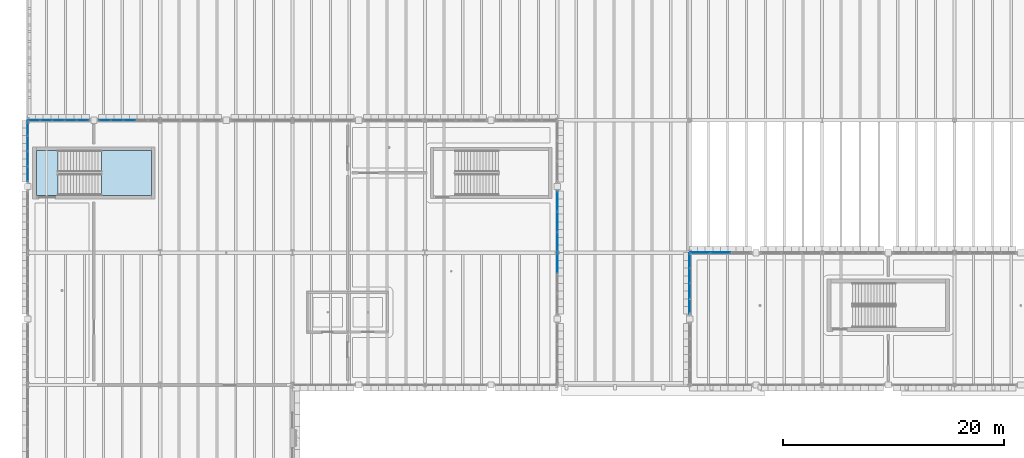
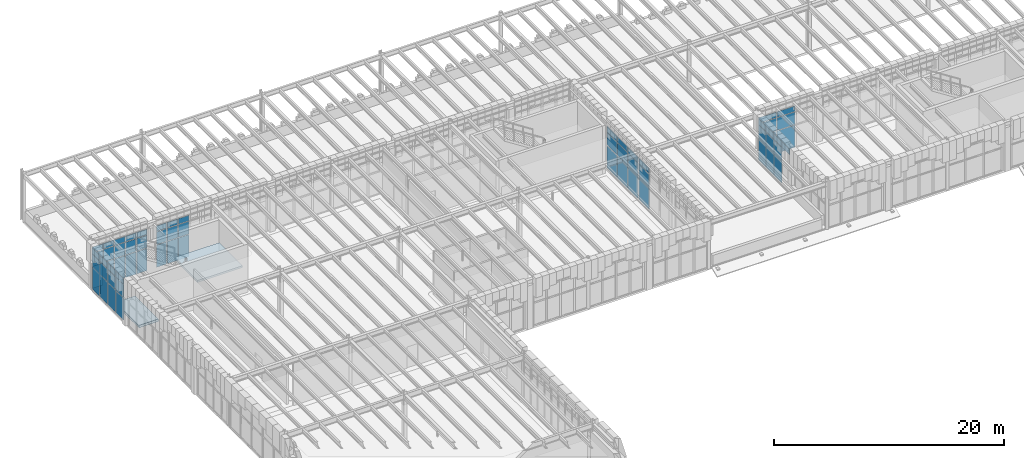
# One storey, part 48 of 100: 64 plates, 2 slabs, 8 elements without a shape of their own.
"""IFC4 building model written with IfcOpenShell, lengths in metres."""

from ifc_helpers import new_model, si_unit, direction, frame, origin, origin_2d, place, context, subcontext, project, spatial, polyline, rectangle, outline, extrude, material, layer, layer_set, type_object, element, aggregate, save


model = new_model("IFC4")

# Units and contexts
model_context = context("Model", 3, precision=1e-05, world=origin(), true_north=direction((0.0, 1.0)))
body_context = subcontext(model_context, "Body", "Model", "MODEL_VIEW")
ifc_project = project(units=[si_unit("LENGTHUNIT", "METRE"), si_unit("AREAUNIT", "SQUARE_METRE"), si_unit("VOLUMEUNIT", "CUBIC_METRE"), si_unit("PLANEANGLEUNIT", "RADIAN"), si_unit("MASSUNIT", "GRAM", prefix="KILO")], contexts=[model_context])

# Site, building, storey
site_placement = place(None, origin())
site = spatial("IfcSite", under=ifc_project, at=site_placement, CompositionType="ELEMENT")
building_placement = place(site_placement, origin())
building = spatial("IfcBuilding", under=site, at=building_placement, Name="Zlatogorsky Bluff Art Gallery", CompositionType="ELEMENT")
storey_placement = place(building_placement, frame((0.0, 0.0, 5.39990234375)))
storey = spatial("IfcBuildingStorey", under=building, at=storey_placement, Name="L01", CompositionType="ELEMENT", Elevation=5.39990234375)

# Curtain wall, plates
ifc_material_1 = material(Name="Anodised Bronze Aluminium and Low-Iron Triple Glazing", Category="aluminium")
ifc_layer_1 = layer(ifc_material_1, 0.179931640625)
ifc_layer_set_1 = layer_set([ifc_layer_1], Name="Curtain Wall CW-03")
curtain_wall_type_1 = type_object("IfcCurtainWallType", Name="Curtain Wall CW-03", PredefinedType="USERDEFINED", material=ifc_layer_set_1)
curtain_wall_1_placement = place(storey_placement, origin())
curtain_wall_1 = element("IfcCurtainWall", 1, at=curtain_wall_1_placement, inside=storey, type_object=curtain_wall_type_1, Name="Unitised curtain wall CW-03 L01 N 0.9-A", ObjectType="CURTAIN WALL", PredefinedType="USERDEFINED")
ifc_material_2 = material(Name="Low-Iron Laminated Triple Glazing", Category="glass")
ifc_layer_2 = layer(ifc_material_2, 0.035888671875)
ifc_layer_set_2 = layer_set([ifc_layer_2], Name="Glazed Curtain Panel CWP-01")
plate_type = type_object("IfcPlateType", Name="Glazed Curtain Panel CWP-01", PredefinedType="CURTAIN_PANEL", material=ifc_layer_set_2)
plate_1_placement = place(storey_placement, frame((9.2099609375, 108.0, 0.065185546875), z_axis=(0.0, 0.0, 1.0), x_axis=(-1.0, 0.0, 0.0)))
plate_1 = element("IfcPlate", 2, at=plate_1_placement, type_object=plate_type, Name="CW-03 panel 3.1", PredefinedType="CURTAIN_PANEL", context=body_context, shape_type="SweptSolid", body=[
    extrude(rectangle(XDim=1.051025390625, YDim=0.035888671875, at=origin_2d()), origin(), (0.0, 0.0, 1.0), 2.3525390625),
])
plate_2_placement = place(storey_placement, frame((9.2099609375, 108.0, 2.482666015625), z_axis=(0.0, 0.0, 1.0), x_axis=(-1.0, 0.0, 0.0)))
plate_2 = element("IfcPlate", 3, at=plate_2_placement, type_object=plate_type, Name="CW-03 panel 3.2", PredefinedType="CURTAIN_PANEL", context=body_context, shape_type="SweptSolid", body=[
    extrude(rectangle(XDim=1.051025390625, YDim=0.035888671875, at=origin_2d()), origin(), (0.0, 0.0, 1.0), 1.3349609375),
])
plate_3_placement = place(storey_placement, frame((9.2099609375, 108.0, 3.882568359375), z_axis=(0.0, 0.0, 1.0), x_axis=(-1.0, 0.0, 0.0)))
plate_3 = element("IfcPlate", 4, at=plate_3_placement, type_object=plate_type, Name="CW-03 panel 3.3", PredefinedType="CURTAIN_PANEL", context=body_context, shape_type="SweptSolid", body=[
    extrude(rectangle(XDim=1.051025390625, YDim=0.035888671875, at=origin_2d()), origin(), (0.0, 0.0, 1.0), 0.58251953125),
])
plate_4_placement = place(storey_placement, frame((8.093994140625, 108.0, 0.065185546875), z_axis=(0.0, 0.0, 1.0), x_axis=(-1.0, 0.0, 0.0)))
plate_4 = element("IfcPlate", 5, at=plate_4_placement, type_object=plate_type, Name="CW-03 panel 4.1", PredefinedType="CURTAIN_PANEL", context=body_context, shape_type="SweptSolid", body=[
    extrude(rectangle(XDim=1.051025390625, YDim=0.035888671875, at=origin_2d()), origin(), (0.0, 0.0, 1.0), 2.3525390625),
])
plate_5_placement = place(storey_placement, frame((8.093994140625, 108.0, 2.482666015625), z_axis=(0.0, 0.0, 1.0), x_axis=(-1.0, 0.0, 0.0)))
plate_5 = element("IfcPlate", 6, at=plate_5_placement, type_object=plate_type, Name="CW-03 panel 4.2", PredefinedType="CURTAIN_PANEL", context=body_context, shape_type="SweptSolid", body=[
    extrude(rectangle(XDim=1.051025390625, YDim=0.035888671875, at=origin_2d()), origin(), (0.0, 0.0, 1.0), 1.3349609375),
])
plate_6_placement = place(storey_placement, frame((8.093994140625, 108.0, 3.882568359375), z_axis=(0.0, 0.0, 1.0), x_axis=(-1.0, 0.0, 0.0)))
plate_6 = element("IfcPlate", 7, at=plate_6_placement, type_object=plate_type, Name="CW-03 panel 4.3", PredefinedType="CURTAIN_PANEL", context=body_context, shape_type="SweptSolid", body=[
    extrude(rectangle(XDim=1.051025390625, YDim=0.035888671875, at=origin_2d()), origin(), (0.0, 0.0, 1.0), 0.58251953125),
])
plate_7_placement = place(storey_placement, frame((6.994140625, 108.0, 0.065185546875), z_axis=(0.0, 0.0, 1.0), x_axis=(-1.0, 0.0, 0.0)))
plate_7 = element("IfcPlate", 8, at=plate_7_placement, type_object=plate_type, Name="CW-03 panel 5.1", PredefinedType="CURTAIN_PANEL", context=body_context, shape_type="SweptSolid", body=[
    extrude(rectangle(XDim=1.0185546875, YDim=0.035888671875, at=origin_2d()), origin(), (0.0, 0.0, 1.0), 2.3525390625),
])
plate_8_placement = place(storey_placement, frame((6.994140625, 108.0, 2.482666015625), z_axis=(0.0, 0.0, 1.0), x_axis=(-1.0, 0.0, 0.0)))
plate_8 = element("IfcPlate", 9, at=plate_8_placement, type_object=plate_type, Name="CW-03 panel 5.2", PredefinedType="CURTAIN_PANEL", context=body_context, shape_type="SweptSolid", body=[
    extrude(rectangle(XDim=1.0185546875, YDim=0.035888671875, at=origin_2d()), origin(), (0.0, 0.0, 1.0), 1.3349609375),
])
plate_9_placement = place(storey_placement, frame((6.994140625, 108.0, 3.882568359375), z_axis=(0.0, 0.0, 1.0), x_axis=(-1.0, 0.0, 0.0)))
plate_9 = element("IfcPlate", 10, at=plate_9_placement, type_object=plate_type, Name="CW-03 panel 5.3", PredefinedType="CURTAIN_PANEL", context=body_context, shape_type="SweptSolid", body=[
    extrude(rectangle(XDim=1.0185546875, YDim=0.035888671875, at=origin_2d()), origin(), (0.0, 0.0, 1.0), 0.58251953125),
])
aggregate(curtain_wall_1, [plate_1, plate_2, plate_3, plate_4, plate_5, plate_6, plate_7, plate_8, plate_9])

curtain_wall_2_placement = place(storey_placement, origin())
curtain_wall_2 = element("IfcCurtainWall", 11, at=curtain_wall_2_placement, inside=storey, type_object=curtain_wall_type_1, Name="Unitised curtain wall CW-03 L01 N 0.9-B", ObjectType="CURTAIN WALL", PredefinedType="USERDEFINED")
plate_10_placement = place(storey_placement, frame((5.005859375, 108.0, 0.065185546875), z_axis=(0.0, 0.0, 1.0), x_axis=(-1.0, 0.0, 0.0)))
plate_10 = element("IfcPlate", 12, at=plate_10_placement, type_object=plate_type, Name="CW-03 panel 1.1", PredefinedType="CURTAIN_PANEL", context=body_context, shape_type="SweptSolid", body=[
    extrude(rectangle(XDim=1.0185546875, YDim=0.035888671875, at=origin_2d()), origin(), (0.0, 0.0, 1.0), 2.3525390625),
])
plate_11_placement = place(storey_placement, frame((5.005859375, 108.0, 2.482666015625), z_axis=(0.0, 0.0, 1.0), x_axis=(-1.0, 0.0, 0.0)))
plate_11 = element("IfcPlate", 13, at=plate_11_placement, type_object=plate_type, Name="CW-03 panel 1.2", PredefinedType="CURTAIN_PANEL", context=body_context, shape_type="SweptSolid", body=[
    extrude(rectangle(XDim=1.0185546875, YDim=0.035888671875, at=origin_2d()), origin(), (0.0, 0.0, 1.0), 1.3349609375),
])
plate_12_placement = place(storey_placement, frame((5.005859375, 108.0, 3.882568359375), z_axis=(0.0, 0.0, 1.0), x_axis=(-1.0, 0.0, 0.0)))
plate_12 = element("IfcPlate", 14, at=plate_12_placement, type_object=plate_type, Name="CW-03 panel 1.3", PredefinedType="CURTAIN_PANEL", context=body_context, shape_type="SweptSolid", body=[
    extrude(rectangle(XDim=1.0185546875, YDim=0.035888671875, at=origin_2d()), origin(), (0.0, 0.0, 1.0), 0.58251953125),
])
plate_13_placement = place(storey_placement, frame((3.906005859375, 108.0, 0.065185546875), z_axis=(0.0, 0.0, 1.0), x_axis=(-1.0, 0.0, 0.0)))
plate_13 = element("IfcPlate", 15, at=plate_13_placement, type_object=plate_type, Name="CW-03 panel 2.1", PredefinedType="CURTAIN_PANEL", context=body_context, shape_type="SweptSolid", body=[
    extrude(rectangle(XDim=1.051025390625, YDim=0.035888671875, at=origin_2d()), origin(), (0.0, 0.0, 1.0), 2.3525390625),
])
plate_14_placement = place(storey_placement, frame((3.906005859375, 108.0, 2.482666015625), z_axis=(0.0, 0.0, 1.0), x_axis=(-1.0, 0.0, 0.0)))
plate_14 = element("IfcPlate", 16, at=plate_14_placement, type_object=plate_type, Name="CW-03 panel 2.2", PredefinedType="CURTAIN_PANEL", context=body_context, shape_type="SweptSolid", body=[
    extrude(rectangle(XDim=1.051025390625, YDim=0.035888671875, at=origin_2d()), origin(), (0.0, 0.0, 1.0), 1.3349609375),
])
plate_15_placement = place(storey_placement, frame((3.906005859375, 108.0, 3.882568359375), z_axis=(0.0, 0.0, 1.0), x_axis=(-1.0, 0.0, 0.0)))
plate_15 = element("IfcPlate", 17, at=plate_15_placement, type_object=plate_type, Name="CW-03 panel 2.3", PredefinedType="CURTAIN_PANEL", context=body_context, shape_type="SweptSolid", body=[
    extrude(rectangle(XDim=1.051025390625, YDim=0.035888671875, at=origin_2d()), origin(), (0.0, 0.0, 1.0), 0.58251953125),
])
plate_16_placement = place(storey_placement, frame((2.7900390625, 108.0, 0.065185546875), z_axis=(0.0, 0.0, 1.0), x_axis=(-1.0, 0.0, 0.0)))
plate_16 = element("IfcPlate", 18, at=plate_16_placement, type_object=plate_type, Name="CW-03 panel 3.1", PredefinedType="CURTAIN_PANEL", context=body_context, shape_type="SweptSolid", body=[
    extrude(rectangle(XDim=1.051025390625, YDim=0.035888671875, at=origin_2d()), origin(), (0.0, 0.0, 1.0), 2.3525390625),
])
plate_17_placement = place(storey_placement, frame((2.7900390625, 108.0, 2.482666015625), z_axis=(0.0, 0.0, 1.0), x_axis=(-1.0, 0.0, 0.0)))
plate_17 = element("IfcPlate", 19, at=plate_17_placement, type_object=plate_type, Name="CW-03 panel 3.2", PredefinedType="CURTAIN_PANEL", context=body_context, shape_type="SweptSolid", body=[
    extrude(rectangle(XDim=1.051025390625, YDim=0.035888671875, at=origin_2d()), origin(), (0.0, 0.0, 1.0), 1.3349609375),
])
plate_18_placement = place(storey_placement, frame((2.7900390625, 108.0, 3.882568359375), z_axis=(0.0, 0.0, 1.0), x_axis=(-1.0, 0.0, 0.0)))
plate_18 = element("IfcPlate", 20, at=plate_18_placement, type_object=plate_type, Name="CW-03 panel 3.3", PredefinedType="CURTAIN_PANEL", context=body_context, shape_type="SweptSolid", body=[
    extrude(rectangle(XDim=1.051025390625, YDim=0.035888671875, at=origin_2d()), origin(), (0.0, 0.0, 1.0), 0.58251953125),
])
plate_19_placement = place(storey_placement, frame((1.674072265625, 108.0, 0.065185546875), z_axis=(0.0, 0.0, 1.0), x_axis=(-1.0, 0.0, 0.0)))
plate_19 = element("IfcPlate", 21, at=plate_19_placement, type_object=plate_type, Name="CW-03 panel 4.1", PredefinedType="CURTAIN_PANEL", context=body_context, shape_type="SweptSolid", body=[
    extrude(rectangle(XDim=1.051025390625, YDim=0.035888671875, at=origin_2d()), origin(), (0.0, 0.0, 1.0), 2.3525390625),
])
plate_20_placement = place(storey_placement, frame((1.674072265625, 108.0, 2.482666015625), z_axis=(0.0, 0.0, 1.0), x_axis=(-1.0, 0.0, 0.0)))
plate_20 = element("IfcPlate", 22, at=plate_20_placement, type_object=plate_type, Name="CW-03 panel 4.2", PredefinedType="CURTAIN_PANEL", context=body_context, shape_type="SweptSolid", body=[
    extrude(rectangle(XDim=1.051025390625, YDim=0.035888671875, at=origin_2d()), origin(), (0.0, 0.0, 1.0), 1.3349609375),
])
plate_21_placement = place(storey_placement, frame((1.674072265625, 108.0, 3.882568359375), z_axis=(0.0, 0.0, 1.0), x_axis=(-1.0, 0.0, 0.0)))
plate_21 = element("IfcPlate", 23, at=plate_21_placement, type_object=plate_type, Name="CW-03 panel 4.3", PredefinedType="CURTAIN_PANEL", context=body_context, shape_type="SweptSolid", body=[
    extrude(rectangle(XDim=1.051025390625, YDim=0.035888671875, at=origin_2d()), origin(), (0.0, 0.0, 1.0), 0.58251953125),
])
plate_22_placement = place(storey_placement, frame((0.57421875, 108.0, 0.065185546875), z_axis=(0.0, 0.0, 1.0), x_axis=(-1.0, 0.0, 0.0)))
plate_22 = element("IfcPlate", 24, at=plate_22_placement, type_object=plate_type, Name="CW-03 panel 5.1", PredefinedType="CURTAIN_PANEL", context=body_context, shape_type="SweptSolid", body=[
    extrude(rectangle(XDim=1.0185546875, YDim=0.035888671875, at=origin_2d()), origin(), (0.0, 0.0, 1.0), 2.3525390625),
])
plate_23_placement = place(storey_placement, frame((0.57421875, 108.0, 2.482666015625), z_axis=(0.0, 0.0, 1.0), x_axis=(-1.0, 0.0, 0.0)))
plate_23 = element("IfcPlate", 25, at=plate_23_placement, type_object=plate_type, Name="CW-03 panel 5.2", PredefinedType="CURTAIN_PANEL", context=body_context, shape_type="SweptSolid", body=[
    extrude(rectangle(XDim=1.0185546875, YDim=0.035888671875, at=origin_2d()), origin(), (0.0, 0.0, 1.0), 1.3349609375),
])
plate_24_placement = place(storey_placement, frame((0.57421875, 108.0, 3.882568359375), z_axis=(0.0, 0.0, 1.0), x_axis=(-1.0, 0.0, 0.0)))
plate_24 = element("IfcPlate", 26, at=plate_24_placement, type_object=plate_type, Name="CW-03 panel 5.3", PredefinedType="CURTAIN_PANEL", context=body_context, shape_type="SweptSolid", body=[
    extrude(rectangle(XDim=1.0185546875, YDim=0.035888671875, at=origin_2d()), origin(), (0.0, 0.0, 1.0), 0.58251953125),
])
aggregate(curtain_wall_2, [plate_10, plate_11, plate_12, plate_13, plate_14, plate_15, plate_16, plate_17, plate_18, plate_19, plate_20, plate_21, plate_22, plate_23, plate_24])

ifc_layer_3 = layer(ifc_material_1, 0.179931640625)
ifc_layer_set_3 = layer_set([ifc_layer_3], Name="Curtain Wall CW-01")
curtain_wall_type_2 = type_object("IfcCurtainWallType", Name="Curtain Wall CW-01", PredefinedType="USERDEFINED", material=ifc_layer_set_3)
curtain_wall_3_placement = place(storey_placement, origin())
curtain_wall_3 = element("IfcCurtainWall", 27, at=curtain_wall_3_placement, inside=storey, type_object=curtain_wall_type_2, Name="Unitised curtain wall CW-01 L01 W 0.9-A", ObjectType="CURTAIN WALL", PredefinedType="USERDEFINED")
plate_25_placement = place(storey_placement, frame((0.0, 107.2861328125, 0.065185546875), z_axis=(0.0, 0.0, 1.0), x_axis=(0.0, -1.0, 0.0)))
plate_25 = element("IfcPlate", 28, at=plate_25_placement, type_object=plate_type, Name="CW-01 panel 1.1", PredefinedType="CURTAIN_PANEL", context=body_context, shape_type="SweptSolid", body=[
    extrude(rectangle(XDim=1.297607421875, YDim=0.035888671875, at=origin_2d()), origin(), (0.0, 0.0, 1.0), 2.3525390625),
])
plate_26_placement = place(storey_placement, frame((0.0, 107.2861328125, 2.482666015625), z_axis=(0.0, 0.0, 1.0), x_axis=(0.0, -1.0, 0.0)))
plate_26 = element("IfcPlate", 29, at=plate_26_placement, type_object=plate_type, Name="CW-01 panel 1.2", PredefinedType="CURTAIN_PANEL", context=body_context, shape_type="SweptSolid", body=[
    extrude(rectangle(XDim=1.297607421875, YDim=0.035888671875, at=origin_2d()), origin(), (0.0, 0.0, 1.0), 1.3349609375),
])
plate_27_placement = place(storey_placement, frame((0.0, 107.2861328125, 3.882568359375), z_axis=(0.0, 0.0, 1.0), x_axis=(0.0, -1.0, 0.0)))
plate_27 = element("IfcPlate", 30, at=plate_27_placement, type_object=plate_type, Name="CW-01 panel 1.3", PredefinedType="CURTAIN_PANEL", context=body_context, shape_type="SweptSolid", body=[
    extrude(rectangle(XDim=1.297607421875, YDim=0.035888671875, at=origin_2d()), origin(), (0.0, 0.0, 1.0), 0.58251953125),
])
plate_28_placement = place(storey_placement, frame((0.0, 105.907470703125, 0.065185546875), z_axis=(0.0, 0.0, 1.0), x_axis=(0.0, -1.0, 0.0)))
plate_28 = element("IfcPlate", 31, at=plate_28_placement, type_object=plate_type, Name="CW-01 panel 2.1", PredefinedType="CURTAIN_PANEL", context=body_context, shape_type="SweptSolid", body=[
    extrude(rectangle(XDim=1.330078125, YDim=0.035888671875, at=origin_2d()), origin(), (0.0, 0.0, 1.0), 2.3525390625),
])
plate_29_placement = place(storey_placement, frame((0.0, 105.907470703125, 2.482666015625), z_axis=(0.0, 0.0, 1.0), x_axis=(0.0, -1.0, 0.0)))
plate_29 = element("IfcPlate", 32, at=plate_29_placement, type_object=plate_type, Name="CW-01 panel 2.2", PredefinedType="CURTAIN_PANEL", context=body_context, shape_type="SweptSolid", body=[
    extrude(rectangle(XDim=1.330078125, YDim=0.035888671875, at=origin_2d()), origin(), (0.0, 0.0, 1.0), 1.3349609375),
])
plate_30_placement = place(storey_placement, frame((0.0, 105.907470703125, 3.882568359375), z_axis=(0.0, 0.0, 1.0), x_axis=(0.0, -1.0, 0.0)))
plate_30 = element("IfcPlate", 33, at=plate_30_placement, type_object=plate_type, Name="CW-01 panel 2.3", PredefinedType="CURTAIN_PANEL", context=body_context, shape_type="SweptSolid", body=[
    extrude(rectangle(XDim=1.330078125, YDim=0.035888671875, at=origin_2d()), origin(), (0.0, 0.0, 1.0), 0.58251953125),
])
plate_31_placement = place(storey_placement, frame((0.0, 104.512451171875, 0.065185546875), z_axis=(0.0, 0.0, 1.0), x_axis=(0.0, -1.0, 0.0)))
plate_31 = element("IfcPlate", 34, at=plate_31_placement, type_object=plate_type, Name="CW-01 panel 3.1", PredefinedType="CURTAIN_PANEL", context=body_context, shape_type="SweptSolid", body=[
    extrude(rectangle(XDim=1.330078125, YDim=0.035888671875, at=origin_2d()), origin(), (0.0, 0.0, 1.0), 2.3525390625),
])
plate_32_placement = place(storey_placement, frame((0.0, 104.512451171875, 2.482666015625), z_axis=(0.0, 0.0, 1.0), x_axis=(0.0, -1.0, 0.0)))
plate_32 = element("IfcPlate", 35, at=plate_32_placement, type_object=plate_type, Name="CW-01 panel 3.2", PredefinedType="CURTAIN_PANEL", context=body_context, shape_type="SweptSolid", body=[
    extrude(rectangle(XDim=1.330078125, YDim=0.035888671875, at=origin_2d()), origin(), (0.0, 0.0, 1.0), 1.3349609375),
])
plate_33_placement = place(storey_placement, frame((0.0, 104.512451171875, 3.882568359375), z_axis=(0.0, 0.0, 1.0), x_axis=(0.0, -1.0, 0.0)))
plate_33 = element("IfcPlate", 36, at=plate_33_placement, type_object=plate_type, Name="CW-01 panel 3.3", PredefinedType="CURTAIN_PANEL", context=body_context, shape_type="SweptSolid", body=[
    extrude(rectangle(XDim=1.330078125, YDim=0.035888671875, at=origin_2d()), origin(), (0.0, 0.0, 1.0), 0.58251953125),
])
plate_34_placement = place(storey_placement, frame((0.0, 103.1337890625, 0.065185546875), z_axis=(0.0, 0.0, 1.0), x_axis=(0.0, -1.0, 0.0)))
plate_34 = element("IfcPlate", 37, at=plate_34_placement, type_object=plate_type, Name="CW-01 panel 4.1", PredefinedType="CURTAIN_PANEL", context=body_context, shape_type="SweptSolid", body=[
    extrude(rectangle(XDim=1.297607421875, YDim=0.035888671875, at=origin_2d()), origin(), (0.0, 0.0, 1.0), 2.3525390625),
])
plate_35_placement = place(storey_placement, frame((0.0, 103.1337890625, 2.482666015625), z_axis=(0.0, 0.0, 1.0), x_axis=(0.0, -1.0, 0.0)))
plate_35 = element("IfcPlate", 38, at=plate_35_placement, type_object=plate_type, Name="CW-01 panel 4.2", PredefinedType="CURTAIN_PANEL", context=body_context, shape_type="SweptSolid", body=[
    extrude(rectangle(XDim=1.297607421875, YDim=0.035888671875, at=origin_2d()), origin(), (0.0, 0.0, 1.0), 1.3349609375),
])
plate_36_placement = place(storey_placement, frame((0.0, 103.1337890625, 3.882568359375), z_axis=(0.0, 0.0, 1.0), x_axis=(0.0, -1.0, 0.0)))
plate_36 = element("IfcPlate", 39, at=plate_36_placement, type_object=plate_type, Name="CW-01 panel 4.3", PredefinedType="CURTAIN_PANEL", context=body_context, shape_type="SweptSolid", body=[
    extrude(rectangle(XDim=1.297607421875, YDim=0.035888671875, at=origin_2d()), origin(), (0.0, 0.0, 1.0), 0.58251953125),
])
aggregate(curtain_wall_3, [plate_25, plate_26, plate_27, plate_28, plate_29, plate_30, plate_31, plate_32, plate_33, plate_34, plate_35, plate_36])

ifc_layer_4 = layer(ifc_material_1, 0.219970703125)
ifc_layer_set_4 = layer_set([ifc_layer_4], Name="Curtain Wall CW-04")
curtain_wall_type_3 = type_object("IfcCurtainWallType", Name="Curtain Wall CW-04", PredefinedType="USERDEFINED", material=ifc_layer_set_4)
curtain_wall_4_placement = place(storey_placement, origin())
curtain_wall_4 = element("IfcCurtainWall", 40, at=curtain_wall_4_placement, inside=storey, type_object=curtain_wall_type_3, Name="Unitised curtain wall CW-04 L01 E 3.8-B", ObjectType="CURTAIN WALL", PredefinedType="USERDEFINED")
plate_37_placement = place(storey_placement, frame((48.0, 95.0537109375, 0.065185546875), z_axis=(0.0, 0.0, 1.0), x_axis=(0.0, 1.0, 0.0)))
plate_37 = element("IfcPlate", 41, at=plate_37_placement, type_object=plate_type, Name="CW-04 panel 3.1", PredefinedType="CURTAIN_PANEL", context=body_context, shape_type="SweptSolid", body=[
    extrude(rectangle(XDim=1.762451171875, YDim=0.035888671875, at=origin_2d()), origin(), (0.0, 0.0, 1.0), 2.3525390625),
])
plate_38_placement = place(storey_placement, frame((48.0, 95.0537109375, 2.482666015625), z_axis=(0.0, 0.0, 1.0), x_axis=(0.0, 1.0, 0.0)))
plate_38 = element("IfcPlate", 42, at=plate_38_placement, type_object=plate_type, Name="CW-04 panel 3.2", PredefinedType="CURTAIN_PANEL", context=body_context, shape_type="SweptSolid", body=[
    extrude(rectangle(XDim=1.762451171875, YDim=0.035888671875, at=origin_2d()), origin(), (0.0, 0.0, 1.0), 1.3349609375),
])
plate_39_placement = place(storey_placement, frame((48.0, 95.0537109375, 3.882568359375), z_axis=(0.0, 0.0, 1.0), x_axis=(0.0, 1.0, 0.0)))
plate_39 = element("IfcPlate", 43, at=plate_39_placement, type_object=plate_type, Name="CW-04 panel 3.3", PredefinedType="CURTAIN_PANEL", context=body_context, shape_type="SweptSolid", body=[
    extrude(rectangle(XDim=1.762451171875, YDim=0.035888671875, at=origin_2d()), origin(), (0.0, 0.0, 1.0), 0.58251953125),
])
aggregate(curtain_wall_4, [plate_37, plate_38, plate_39])

curtain_wall_5_placement = place(storey_placement, origin())
curtain_wall_5 = element("IfcCurtainWall", 44, at=curtain_wall_5_placement, inside=storey, type_object=curtain_wall_type_3, Name="Unitised curtain wall CW-04 L01 E 3.9-A", ObjectType="CURTAIN WALL", PredefinedType="USERDEFINED")
plate_40_placement = place(storey_placement, frame((48.0, 96.9462890625, 0.065185546875), z_axis=(0.0, 0.0, 1.0), x_axis=(0.0, 1.0, 0.0)))
plate_40 = element("IfcPlate", 45, at=plate_40_placement, type_object=plate_type, Name="CW-04 panel 1.1", PredefinedType="CURTAIN_PANEL", context=body_context, shape_type="SweptSolid", body=[
    extrude(rectangle(XDim=1.762451171875, YDim=0.035888671875, at=origin_2d()), origin(), (0.0, 0.0, 1.0), 2.3525390625),
])
plate_41_placement = place(storey_placement, frame((48.0, 96.9462890625, 2.482666015625), z_axis=(0.0, 0.0, 1.0), x_axis=(0.0, 1.0, 0.0)))
plate_41 = element("IfcPlate", 46, at=plate_41_placement, type_object=plate_type, Name="CW-04 panel 1.2", PredefinedType="CURTAIN_PANEL", context=body_context, shape_type="SweptSolid", body=[
    extrude(rectangle(XDim=1.762451171875, YDim=0.035888671875, at=origin_2d()), origin(), (0.0, 0.0, 1.0), 1.3349609375),
])
plate_42_placement = place(storey_placement, frame((48.0, 96.9462890625, 3.882568359375), z_axis=(0.0, 0.0, 1.0), x_axis=(0.0, 1.0, 0.0)))
plate_42 = element("IfcPlate", 47, at=plate_42_placement, type_object=plate_type, Name="CW-04 panel 1.3", PredefinedType="CURTAIN_PANEL", context=body_context, shape_type="SweptSolid", body=[
    extrude(rectangle(XDim=1.762451171875, YDim=0.035888671875, at=origin_2d()), origin(), (0.0, 0.0, 1.0), 0.58251953125),
])
plate_43_placement = place(storey_placement, frame((48.0, 98.7900390625, 0.065185546875), z_axis=(0.0, 0.0, 1.0), x_axis=(0.0, 1.0, 0.0)))
plate_43 = element("IfcPlate", 48, at=plate_43_placement, type_object=plate_type, Name="CW-04 panel 2.1", PredefinedType="CURTAIN_PANEL", context=body_context, shape_type="SweptSolid", body=[
    extrude(rectangle(XDim=1.794921875, YDim=0.035888671875, at=origin_2d()), origin(), (0.0, 0.0, 1.0), 2.3525390625),
])
plate_44_placement = place(storey_placement, frame((48.0, 98.7900390625, 2.482666015625), z_axis=(0.0, 0.0, 1.0), x_axis=(0.0, 1.0, 0.0)))
plate_44 = element("IfcPlate", 49, at=plate_44_placement, type_object=plate_type, Name="CW-04 panel 2.2", PredefinedType="CURTAIN_PANEL", context=body_context, shape_type="SweptSolid", body=[
    extrude(rectangle(XDim=1.794921875, YDim=0.035888671875, at=origin_2d()), origin(), (0.0, 0.0, 1.0), 1.3349609375),
])
plate_45_placement = place(storey_placement, frame((48.0, 98.7900390625, 3.882568359375), z_axis=(0.0, 0.0, 1.0), x_axis=(0.0, 1.0, 0.0)))
plate_45 = element("IfcPlate", 50, at=plate_45_placement, type_object=plate_type, Name="CW-04 panel 2.3", PredefinedType="CURTAIN_PANEL", context=body_context, shape_type="SweptSolid", body=[
    extrude(rectangle(XDim=1.794921875, YDim=0.035888671875, at=origin_2d()), origin(), (0.0, 0.0, 1.0), 0.58251953125),
])
plate_46_placement = place(storey_placement, frame((48.0, 100.6337890625, 0.065185546875), z_axis=(0.0, 0.0, 1.0), x_axis=(0.0, 1.0, 0.0)))
plate_46 = element("IfcPlate", 51, at=plate_46_placement, type_object=plate_type, Name="CW-04 panel 3.1", PredefinedType="CURTAIN_PANEL", context=body_context, shape_type="SweptSolid", body=[
    extrude(rectangle(XDim=1.762451171875, YDim=0.035888671875, at=origin_2d()), origin(), (0.0, 0.0, 1.0), 2.3525390625),
])
plate_47_placement = place(storey_placement, frame((48.0, 100.6337890625, 2.482666015625), z_axis=(0.0, 0.0, 1.0), x_axis=(0.0, 1.0, 0.0)))
plate_47 = element("IfcPlate", 52, at=plate_47_placement, type_object=plate_type, Name="CW-04 panel 3.2", PredefinedType="CURTAIN_PANEL", context=body_context, shape_type="SweptSolid", body=[
    extrude(rectangle(XDim=1.762451171875, YDim=0.035888671875, at=origin_2d()), origin(), (0.0, 0.0, 1.0), 1.3349609375),
])
plate_48_placement = place(storey_placement, frame((48.0, 100.6337890625, 3.882568359375), z_axis=(0.0, 0.0, 1.0), x_axis=(0.0, 1.0, 0.0)))
plate_48 = element("IfcPlate", 53, at=plate_48_placement, type_object=plate_type, Name="CW-04 panel 3.3", PredefinedType="CURTAIN_PANEL", context=body_context, shape_type="SweptSolid", body=[
    extrude(rectangle(XDim=1.762451171875, YDim=0.035888671875, at=origin_2d()), origin(), (0.0, 0.0, 1.0), 0.58251953125),
])
aggregate(curtain_wall_5, [plate_40, plate_41, plate_42, plate_43, plate_44, plate_45, plate_46, plate_47, plate_48])

curtain_wall_6_placement = place(storey_placement, origin())
curtain_wall_6 = element("IfcCurtainWall", 54, at=curtain_wall_6_placement, inside=storey, type_object=curtain_wall_type_3, Name="Unitised curtain wall CW-04 L01 N 5.8-B", ObjectType="CURTAIN WALL", PredefinedType="USERDEFINED")
plate_49_placement = place(storey_placement, frame((62.7900390625, 96.0, 0.065185546875), z_axis=(0.0, 0.0, 1.0), x_axis=(-1.0, 0.0, 0.0)))
plate_49 = element("IfcPlate", 55, at=plate_49_placement, type_object=plate_type, Name="CW-04 panel 2.1", PredefinedType="CURTAIN_PANEL", context=body_context, shape_type="SweptSolid", body=[
    extrude(rectangle(XDim=1.794921875, YDim=0.035888671875, at=origin_2d()), origin(), (0.0, 0.0, 1.0), 2.3525390625),
])
plate_50_placement = place(storey_placement, frame((62.7900390625, 96.0, 2.482666015625), z_axis=(0.0, 0.0, 1.0), x_axis=(-1.0, 0.0, 0.0)))
plate_50 = element("IfcPlate", 56, at=plate_50_placement, type_object=plate_type, Name="CW-04 panel 2.2", PredefinedType="CURTAIN_PANEL", context=body_context, shape_type="SweptSolid", body=[
    extrude(rectangle(XDim=1.794921875, YDim=0.035888671875, at=origin_2d()), origin(), (0.0, 0.0, 1.0), 1.3349609375),
])
plate_51_placement = place(storey_placement, frame((62.7900390625, 96.0, 3.882568359375), z_axis=(0.0, 0.0, 1.0), x_axis=(-1.0, 0.0, 0.0)))
plate_51 = element("IfcPlate", 57, at=plate_51_placement, type_object=plate_type, Name="CW-04 panel 2.3", PredefinedType="CURTAIN_PANEL", context=body_context, shape_type="SweptSolid", body=[
    extrude(rectangle(XDim=1.794921875, YDim=0.035888671875, at=origin_2d()), origin(), (0.0, 0.0, 1.0), 0.58251953125),
])
plate_52_placement = place(storey_placement, frame((60.9462890625, 96.0, 0.065185546875), z_axis=(0.0, 0.0, 1.0), x_axis=(-1.0, 0.0, 0.0)))
plate_52 = element("IfcPlate", 58, at=plate_52_placement, type_object=plate_type, Name="CW-04 panel 3.1", PredefinedType="CURTAIN_PANEL", context=body_context, shape_type="SweptSolid", body=[
    extrude(rectangle(XDim=1.762451171875, YDim=0.035888671875, at=origin_2d()), origin(), (0.0, 0.0, 1.0), 2.3525390625),
])
plate_53_placement = place(storey_placement, frame((60.9462890625, 96.0, 2.482666015625), z_axis=(0.0, 0.0, 1.0), x_axis=(-1.0, 0.0, 0.0)))
plate_53 = element("IfcPlate", 59, at=plate_53_placement, type_object=plate_type, Name="CW-04 panel 3.2", PredefinedType="CURTAIN_PANEL", context=body_context, shape_type="SweptSolid", body=[
    extrude(rectangle(XDim=1.762451171875, YDim=0.035888671875, at=origin_2d()), origin(), (0.0, 0.0, 1.0), 1.3349609375),
])
plate_54_placement = place(storey_placement, frame((60.9462890625, 96.0, 3.882568359375), z_axis=(0.0, 0.0, 1.0), x_axis=(-1.0, 0.0, 0.0)))
plate_54 = element("IfcPlate", 60, at=plate_54_placement, type_object=plate_type, Name="CW-04 panel 3.3", PredefinedType="CURTAIN_PANEL", context=body_context, shape_type="SweptSolid", body=[
    extrude(rectangle(XDim=1.762451171875, YDim=0.035888671875, at=origin_2d()), origin(), (0.0, 0.0, 1.0), 0.58251953125),
])
aggregate(curtain_wall_6, [plate_49, plate_50, plate_51, plate_52, plate_53, plate_54])

ifc_layer_5 = layer(ifc_material_1, 0.199951171875)
ifc_layer_set_5 = layer_set([ifc_layer_5], Name="Curtain Wall CW-02")
curtain_wall_type_4 = type_object("IfcCurtainWallType", Name="Curtain Wall CW-02", PredefinedType="USERDEFINED", material=ifc_layer_set_5)
curtain_wall_7_placement = place(storey_placement, origin())
curtain_wall_7 = element("IfcCurtainWall", 61, at=curtain_wall_7_placement, inside=storey, type_object=curtain_wall_type_4, Name="Unitised curtain wall CW-02 L01 W 5.8-A", ObjectType="CURTAIN WALL", PredefinedType="USERDEFINED")
plate_55_placement = place(storey_placement, frame((60.0, 95.2861328125, 0.065185546875), z_axis=(0.0, 0.0, 1.0), x_axis=(0.0, -1.0, 0.0)))
plate_55 = element("IfcPlate", 62, at=plate_55_placement, type_object=plate_type, Name="CW-02 panel 1.1", PredefinedType="CURTAIN_PANEL", context=body_context, shape_type="SweptSolid", body=[
    extrude(rectangle(XDim=1.297607421875, YDim=0.035888671875, at=origin_2d()), origin(), (0.0, 0.0, 1.0), 2.3525390625),
])
plate_56_placement = place(storey_placement, frame((60.0, 95.2861328125, 2.482666015625), z_axis=(0.0, 0.0, 1.0), x_axis=(0.0, -1.0, 0.0)))
plate_56 = element("IfcPlate", 63, at=plate_56_placement, type_object=plate_type, Name="CW-02 panel 1.2", PredefinedType="CURTAIN_PANEL", context=body_context, shape_type="SweptSolid", body=[
    extrude(rectangle(XDim=1.297607421875, YDim=0.035888671875, at=origin_2d()), origin(), (0.0, 0.0, 1.0), 1.3349609375),
])
plate_57_placement = place(storey_placement, frame((60.0, 95.2861328125, 3.882568359375), z_axis=(0.0, 0.0, 1.0), x_axis=(0.0, -1.0, 0.0)))
plate_57 = element("IfcPlate", 64, at=plate_57_placement, type_object=plate_type, Name="CW-02 panel 1.3", PredefinedType="CURTAIN_PANEL", context=body_context, shape_type="SweptSolid", body=[
    extrude(rectangle(XDim=1.297607421875, YDim=0.035888671875, at=origin_2d()), origin(), (0.0, 0.0, 1.0), 0.58251953125),
])
plate_58_placement = place(storey_placement, frame((60.0, 93.907470703125, 0.065185546875), z_axis=(0.0, 0.0, 1.0), x_axis=(0.0, -1.0, 0.0)))
plate_58 = element("IfcPlate", 65, at=plate_58_placement, type_object=plate_type, Name="CW-02 panel 2.1", PredefinedType="CURTAIN_PANEL", context=body_context, shape_type="SweptSolid", body=[
    extrude(rectangle(XDim=1.330078125, YDim=0.035888671875, at=origin_2d()), origin(), (0.0, 0.0, 1.0), 2.3525390625),
])
plate_59_placement = place(storey_placement, frame((60.0, 93.907470703125, 2.482666015625), z_axis=(0.0, 0.0, 1.0), x_axis=(0.0, -1.0, 0.0)))
plate_59 = element("IfcPlate", 66, at=plate_59_placement, type_object=plate_type, Name="CW-02 panel 2.2", PredefinedType="CURTAIN_PANEL", context=body_context, shape_type="SweptSolid", body=[
    extrude(rectangle(XDim=1.330078125, YDim=0.035888671875, at=origin_2d()), origin(), (0.0, 0.0, 1.0), 1.3349609375),
])
plate_60_placement = place(storey_placement, frame((60.0, 93.907470703125, 3.882568359375), z_axis=(0.0, 0.0, 1.0), x_axis=(0.0, -1.0, 0.0)))
plate_60 = element("IfcPlate", 67, at=plate_60_placement, type_object=plate_type, Name="CW-02 panel 2.3", PredefinedType="CURTAIN_PANEL", context=body_context, shape_type="SweptSolid", body=[
    extrude(rectangle(XDim=1.330078125, YDim=0.035888671875, at=origin_2d()), origin(), (0.0, 0.0, 1.0), 0.58251953125),
])
plate_61_placement = place(storey_placement, frame((60.0, 92.512451171875, 0.065185546875), z_axis=(0.0, 0.0, 1.0), x_axis=(0.0, -1.0, 0.0)))
plate_61 = element("IfcPlate", 68, at=plate_61_placement, type_object=plate_type, Name="CW-02 panel 3.1", PredefinedType="CURTAIN_PANEL", context=body_context, shape_type="SweptSolid", body=[
    extrude(rectangle(XDim=1.330078125, YDim=0.035888671875, at=origin_2d()), origin(), (0.0, 0.0, 1.0), 2.3525390625),
])
plate_62_placement = place(storey_placement, frame((60.0, 92.512451171875, 2.482666015625), z_axis=(0.0, 0.0, 1.0), x_axis=(0.0, -1.0, 0.0)))
plate_62 = element("IfcPlate", 69, at=plate_62_placement, type_object=plate_type, Name="CW-02 panel 3.2", PredefinedType="CURTAIN_PANEL", context=body_context, shape_type="SweptSolid", body=[
    extrude(rectangle(XDim=1.330078125, YDim=0.035888671875, at=origin_2d()), origin(), (0.0, 0.0, 1.0), 1.3349609375),
])
plate_63_placement = place(storey_placement, frame((60.0, 92.512451171875, 3.882568359375), z_axis=(0.0, 0.0, 1.0), x_axis=(0.0, -1.0, 0.0)))
plate_63 = element("IfcPlate", 70, at=plate_63_placement, type_object=plate_type, Name="CW-02 panel 3.3", PredefinedType="CURTAIN_PANEL", context=body_context, shape_type="SweptSolid", body=[
    extrude(rectangle(XDim=1.330078125, YDim=0.035888671875, at=origin_2d()), origin(), (0.0, 0.0, 1.0), 0.58251953125),
])
plate_64_placement = place(storey_placement, frame((60.0, 91.1337890625, 3.882568359375), z_axis=(0.0, 0.0, 1.0), x_axis=(0.0, -1.0, 0.0)))
plate_64 = element("IfcPlate", 71, at=plate_64_placement, type_object=plate_type, Name="CW-02 panel 4.3", PredefinedType="CURTAIN_PANEL", context=body_context, shape_type="SweptSolid", body=[
    extrude(rectangle(XDim=1.297607421875, YDim=0.035888671875, at=origin_2d()), origin(), (0.0, 0.0, 1.0), 0.58251953125),
])
aggregate(curtain_wall_7, [plate_55, plate_56, plate_57, plate_58, plate_59, plate_60, plate_61, plate_62, plate_63, plate_64])

# Slab
ifc_material_3 = material(Name="Concrete C30/37", Category="concrete")
ifc_layer_6 = layer(ifc_material_3, 0.260009765625)
ifc_layer_set_6 = layer_set([ifc_layer_6], Name="Slab SL-01 260mm")
slab_type_1 = type_object("IfcSlabType", Name="Slab SL-01 260mm", PredefinedType="FLOOR", material=ifc_layer_set_6)
slab_1_placement = place(storey_placement, frame((0.0, 0.0, -0.260009765625)))
element("IfcSlab", 72, at=slab_1_placement, inside=storey, type_object=slab_type_1, Name="L01 stair ST-05 structural floor landing slab", PredefinedType="FLOOR", context=body_context, shape_type="SweptSolid", body=[
    extrude(outline(polyline([(0.800048828125, 101.199951171875), (2.75, 101.199951171875), (2.75, 105.25), (0.800048828125, 105.25), (0.800048828125, 101.199951171875)])), origin(), (0.0, 0.0, 1.0), 0.260009765625),
])

# Stair, slab
stair_type = type_object("IfcStairType", Name="Protected Dogleg Stair ST-T3", PredefinedType="HALF_TURN_STAIR", material=ifc_material_3)
stair_placement = place(storey_placement, origin())
stair = element("IfcStair", 73, at=stair_placement, inside=storey, type_object=stair_type, Name="L01 Protected Exit Stair ST-05", PredefinedType="HALF_TURN_STAIR")
ifc_layer_7 = layer(ifc_material_3, 0.199951171875)
ifc_layer_set_7 = layer_set([ifc_layer_7], Name="Stair Half-Landing 200mm")
slab_type_2 = type_object("IfcSlabType", Name="Stair Half-Landing 200mm", PredefinedType="LANDING", material=ifc_layer_set_7)
slab_2_placement = place(storey_placement, frame((0.0, 0.0, 2.5)))
slab_2 = element("IfcSlab", 74, at=slab_2_placement, type_object=slab_type_2, Name="ST-05 landing 1", PredefinedType="LANDING", context=body_context, shape_type="SweptSolid", body=[
    extrude(outline(polyline([(6.669921875, 101.199951171875), (11.199951171875, 101.199951171875), (11.199951171875, 105.25), (6.669921875, 105.25), (6.669921875, 101.199951171875)])), origin(), (0.0, 0.0, 1.0), 0.2001953125),
])
aggregate(stair, [slab_2])

save(model, "model.ifc")
